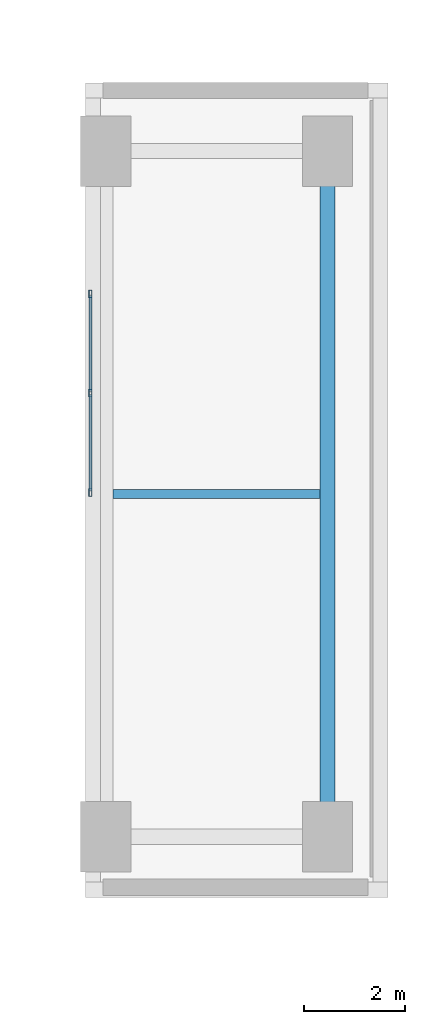
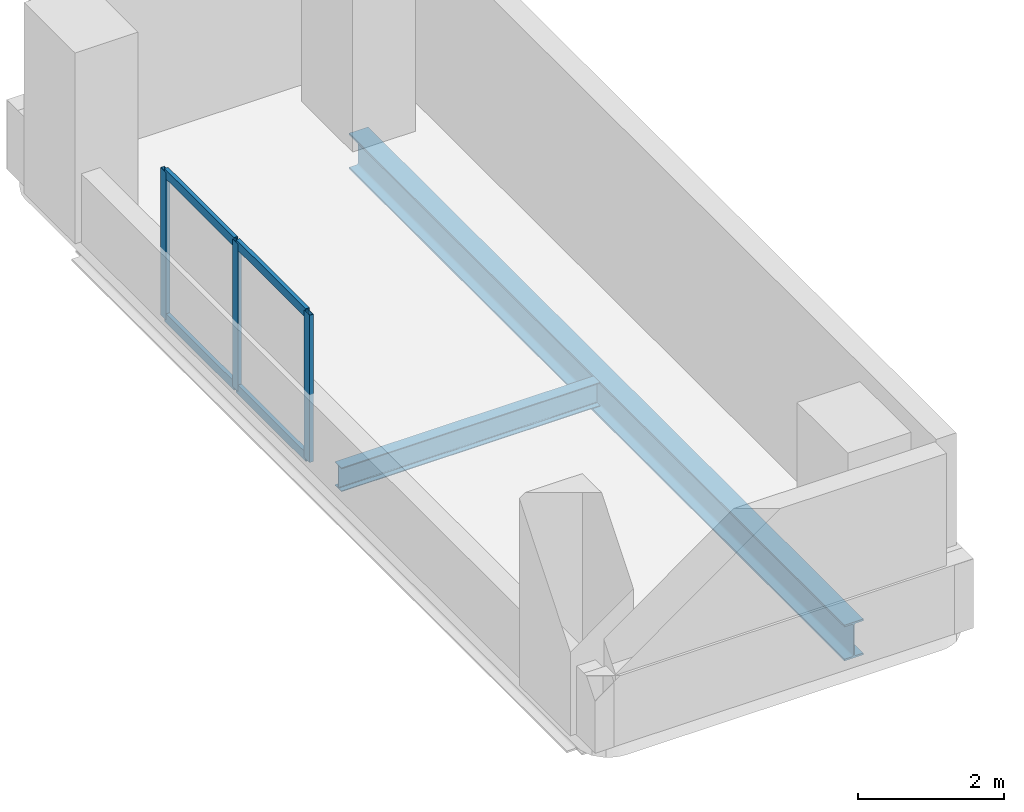
# One storey, part 4 of 14: 7 members, 2 beams, 1 element without a shape of its own.
"""IFC4 building model written with IfcOpenShell, lengths in metres."""

import ifcopenshell
import ifcopenshell.guid

model = None  # the IFC model being written
_history = None  # IfcOwnerHistory: only IFC2X3 demands one
_inside = {}  # id of a spatial element -> (the spatial element, [elements in it])
_under = {}  # id of a project, library or spatial element -> (it, [spatial elements below it])
_declared = {}  # id of a project -> (the project, [libraries it declares])
_typed = {}  # id of a type object -> (the type object, [elements of that type])
_made_of = {}  # id of a material, layer set ... -> (it, [elements and type objects made of it])


def new_model(schema):
    """Start an empty IFC model of exactly this schema.

    Asked for "IFC4X3", IfcOpenShell would pick the latest addendum, in which some entities
    have other attributes; the version numbers below select the first issue.
    IFC2X3 requires an IfcOwnerHistory on every rooted entity: one is made here for all.
    """
    global model, _history
    if schema == "IFC4X3":
        model = ifcopenshell.file(schema_version=(4, 3, 0, 0))
    else:
        model = ifcopenshell.file(schema=schema)
    _inside.clear()
    _under.clear()
    _declared.clear()
    _typed.clear()
    _made_of.clear()
    _history = None
    if model.schema == "IFC2X3":
        org = make("IfcOrganization", Name="unknown")
        user = make(
            "IfcPersonAndOrganization",
            ThePerson=make("IfcPerson", FamilyName="unknown"),
            TheOrganization=org,
        )
        app = make(
            "IfcApplication",
            ApplicationDeveloper=org,
            Version="unknown",
            ApplicationFullName="unknown",
            ApplicationIdentifier="unknown",
        )
        _history = make(
            "IfcOwnerHistory",
            OwningUser=user,
            OwningApplication=app,
            ChangeAction="ADDED",
            CreationDate=0,
        )
    return model


def make(cls, **values):
    """One entity of the class cls with the attributes given. An attribute that is None is left unset."""
    return model.create_entity(
        cls, **{name: value for name, value in values.items() if value is not None}
    )


def rooted(cls, **values):
    """An entity with a GlobalId (a new one), such as an element, a storey or a relation."""
    return make(cls, GlobalId=ifcopenshell.guid.new(), OwnerHistory=_history, **values)


def si_unit(unit_type, name, prefix=None):
    """IfcSIUnit, for example si_unit("LENGTHUNIT", "METRE", prefix="MILLI")."""
    return make("IfcSIUnit", UnitType=unit_type, Prefix=prefix, Name=name)


def assignment(units):
    """IfcUnitAssignment: the units of a project."""
    return None if units is None else make("IfcUnitAssignment", Units=units)


def point(xyz):
    """IfcCartesianPoint."""
    return None if xyz is None else make("IfcCartesianPoint", Coordinates=xyz)


def direction(xyz):
    """IfcDirection."""
    return None if xyz is None else make("IfcDirection", DirectionRatios=xyz)


def frame(location, z_axis=None, x_axis=None):
    """IfcAxis2Placement3D, a coordinate frame: its origin and axes. An axis left out is left unset."""
    return make(
        "IfcAxis2Placement3D",
        Location=point(location),
        Axis=direction(z_axis),
        RefDirection=direction(x_axis),
    )


def frame_2d(location, x_axis=None):
    """IfcAxis2Placement2D, a coordinate frame in the plane: its origin and x axis."""
    return make(
        "IfcAxis2Placement2D", Location=point(location), RefDirection=direction(x_axis)
    )


def origin():
    """The frame at (0, 0, 0) with its axes left unset."""
    return frame((0.0, 0.0, 0.0))


def origin_2d():
    """The frame at (0, 0) in the plane with its x axis left unset."""
    return frame_2d((0.0, 0.0))


def place(relative_to, where):
    """IfcLocalPlacement: puts the frame where relative to a parent placement (None: the world)."""
    return make(
        "IfcLocalPlacement", PlacementRelTo=relative_to, RelativePlacement=where
    )


def context(
    kind, dimensions, precision=None, world=None, true_north=None, identifier=None
):
    """IfcGeometricRepresentationContext, for example the 3D "Model" context."""
    return make(
        "IfcGeometricRepresentationContext",
        ContextIdentifier=identifier,
        ContextType=kind,
        CoordinateSpaceDimension=dimensions,
        Precision=precision,
        WorldCoordinateSystem=world,
        TrueNorth=true_north,
    )


def subcontext(parent, identifier, kind, view, scale=None):
    """IfcGeometricRepresentationSubContext, for example "Body" below "Model"."""
    return make(
        "IfcGeometricRepresentationSubContext",
        ContextIdentifier=identifier,
        ContextType=kind,
        ParentContext=parent,
        TargetScale=scale,
        TargetView=view,
    )


def project(units=None, contexts=None):
    """IfcProject with its units and contexts."""
    return rooted(
        "IfcProject",
        Name="project",
        RepresentationContexts=contexts,
        UnitsInContext=assignment(units),
    )


def spatial(cls, under=None, at=None, **own):
    """A site, building, storey or space (cls), placed at a placement, below another one or the project."""
    s = rooted(cls, ObjectPlacement=at, **own)
    if under is not None:
        _under.setdefault(under.id(), (under, []))[1].append(s)
    return s


def profile(cls, at=None, kind="AREA", **sizes):
    """A parametric profile (cls). Its sizes go by their IFC names, for example OverallWidth=200.0."""
    return make(cls, ProfileType=kind, Position=at, **sizes)


def hollow_rectangle(**sizes):
    """IfcRectangleHollowProfileDef."""
    return profile("IfcRectangleHollowProfileDef", **sizes)


def i_section(**sizes):
    """IfcIShapeProfileDef."""
    return profile("IfcIShapeProfileDef", **sizes)


def extrude(swept, where, along, depth):
    """IfcExtrudedAreaSolid: the profile swept, set in the frame where, extruded along a direction by depth."""
    return make(
        "IfcExtrudedAreaSolid",
        SweptArea=swept,
        Position=where,
        ExtrudedDirection=direction(along),
        Depth=depth,
    )


def shape(context_of_items, identifier, shape_type, items):
    """IfcShapeRepresentation: the items that make up one representation, for example the "Body"."""
    return make(
        "IfcShapeRepresentation",
        ContextOfItems=context_of_items,
        RepresentationIdentifier=identifier,
        RepresentationType=shape_type,
        Items=items,
    )


def material(Name=None, Category=None):
    """IfcMaterial."""
    return make("IfcMaterial", Name=Name, Category=Category)


def material_profile(
    of_material, cross_section, Name=None, Category=None, Priority=None
):
    """IfcMaterialProfile: a cross section and its material."""
    return make(
        "IfcMaterialProfile",
        Name=Name,
        Material=of_material,
        Profile=cross_section,
        Priority=Priority,
        Category=Category,
    )


def profile_set(profiles, Name=None, composite=None):
    """IfcMaterialProfileSet."""
    return make(
        "IfcMaterialProfileSet",
        Name=Name,
        MaterialProfiles=profiles,
        CompositeProfile=composite,
    )


def made_of(thing, what):
    """Note that an element or type object is made of a material, layer set ...; save() writes the relation."""
    if what is not None:
        _made_of.setdefault(what.id(), (what, []))[1].append(thing)
    return thing


def type_object(cls, material=None, **own):
    """A type object (cls), such as IfcWallType, which elements share."""
    return made_of(rooted(cls, **own), material)


def element(
    cls,
    number,
    at=None,
    inside=None,
    cuts=None,
    type_object=None,
    material=None,
    context=None,
    identifier="Body",
    shape_type=None,
    held_by="IfcProductDefinitionShape",
    body=None,
    shapes=None,
    **own,
):
    """One element of the class cls, such as IfcWall. Its Tag is "e" and its number.

    at: its placement. inside: the storey or other place that contains it. cuts: it is an
    opening in that element (IfcRelVoidsElement). A single representation is given by context,
    identifier, shape_type and body (its items); several are given by shapes. held_by: the class
    of the entity that holds the representations. save() writes the other relations.
    """
    e = rooted(cls, Tag="e%d" % number, ObjectPlacement=at, **own)
    if body is not None:
        shapes = [shape(context, identifier, shape_type, body)]
    if shapes is not None:
        e.Representation = make(held_by, Representations=shapes)
    if inside is not None:
        _inside.setdefault(inside.id(), (inside, []))[1].append(e)
    if cuts is not None:
        rooted(
            "IfcRelVoidsElement", RelatingBuildingElement=cuts, RelatedOpeningElement=e
        )
    if type_object is not None:
        _typed.setdefault(type_object.id(), (type_object, []))[1].append(e)
    return made_of(e, material)


def aggregate(whole, parts):
    """IfcRelAggregates: a whole, such as a stair, and the parts it consists of."""
    return rooted("IfcRelAggregates", RelatingObject=whole, RelatedObjects=parts)


def save(model, path):
    """Write the relations noted so far, then the file.

    IfcRelAggregates (storeys below a building ...), IfcRelContainedInSpatialStructure (elements
    in a storey), IfcRelDefinesByType, IfcRelAssociatesMaterial and IfcRelDeclares: one each for
    every whole, place, type object, material and project.
    """
    for whole, parts in _under.values():
        aggregate(whole, parts)
    for where, things in _inside.values():
        rooted(
            "IfcRelContainedInSpatialStructure",
            RelatedElements=things,
            RelatingStructure=where,
        )
    for kind, things in _typed.values():
        rooted("IfcRelDefinesByType", RelatedObjects=things, RelatingType=kind)
    for what, things in _made_of.values():
        rooted("IfcRelAssociatesMaterial", RelatedObjects=things, RelatingMaterial=what)
    for by, libraries in _declared.values():
        rooted("IfcRelDeclares", RelatingContext=by, RelatedDefinitions=libraries)
    model.write(path)


model = new_model("IFC4")

# Units and contexts
model_context = context("Model", 3, precision=1e-05, world=origin(), true_north=direction((0.0, 1.0)))
body_context = subcontext(model_context, "Body", "Model", "MODEL_VIEW")
ifc_project = project(units=[si_unit("LENGTHUNIT", "METRE"), si_unit("AREAUNIT", "SQUARE_METRE"), si_unit("VOLUMEUNIT", "CUBIC_METRE"), si_unit("PLANEANGLEUNIT", "RADIAN"), si_unit("MASSUNIT", "GRAM", prefix="KILO")], contexts=[model_context])

# Site, building, storey
site_placement = place(None, origin())
site = spatial("IfcSite", under=ifc_project, at=site_placement, CompositionType="ELEMENT")
building_placement = place(site_placement, origin())
building = spatial("IfcBuilding", under=site, at=building_placement, Name="Kuzgunbayir Cultural Tower", CompositionType="ELEMENT")
storey_placement = place(building_placement, frame((0.0, 0.0, 33.39990234375)))
storey = spatial("IfcBuildingStorey", under=building, at=storey_placement, Name="L08", CompositionType="ELEMENT", Elevation=33.39990234375)

# Beams
ifc_material_1 = material(Name="Steel S355J2", Category="steel")
ifc_material_profile_1 = material_profile(ifc_material_1, i_section(OverallWidth=0.300048828125, OverallDepth=0.60009765625, WebThickness=0.015380859375, FlangeThickness=0.030029296875, FilletRadius=0.027099609375, at=origin_2d()), Name="HEB 600")
ifc_profile_set_1 = profile_set([ifc_material_profile_1], Name="Steel S355J2")
beam_type_1 = type_object("IfcBeamType", Name="BM-EXT-HEB600", PredefinedType="BEAM", material=ifc_profile_set_1)
beam_1_placement = place(storey_placement, frame((45.60009765625, 27.60009765625, -0.52978515625), z_axis=(0.0, 1.0, 0.0), x_axis=(-1.0, 0.0, 0.0)))
element("IfcBeam", 1, at=beam_1_placement, inside=storey, type_object=beam_type_1, Name="L08 Portal Pier East Girder", PredefinedType="BEAM", context=body_context, shape_type="SweptSolid", body=[
    extrude(i_section(OverallWidth=0.300048828125, OverallDepth=0.60009765625, WebThickness=0.015380859375, FlangeThickness=0.030029296875, FilletRadius=0.027099609375, at=origin_2d()), origin(), (0.0, 0.0, 1.0), 13.599853515625),
])
ifc_material_profile_2 = material_profile(ifc_material_1, i_section(OverallWidth=0.179931640625, OverallDepth=0.39990234375, WebThickness=0.008544921875, FlangeThickness=0.013427734375, FilletRadius=0.02099609375, at=origin_2d()), Name="IPE 400")
ifc_profile_set_2 = profile_set([ifc_material_profile_2], Name="Steel S355J2")
beam_type_2 = type_object("IfcBeamType", Name="BM-JST-IPE400", PredefinedType="JOIST", material=ifc_profile_set_2)
beam_2_placement = place(storey_placement, frame((41.35009765625, 34.39990234375, -0.429931640625), z_axis=(1.0, 0.0, 0.0), x_axis=(0.0, 1.0, 0.0)))
element("IfcBeam", 2, at=beam_2_placement, inside=storey, type_object=beam_type_2, Name="L08 Portal Pier Joist", PredefinedType="JOIST", context=body_context, shape_type="SweptSolid", body=[
    extrude(i_section(OverallWidth=0.179931640625, OverallDepth=0.39990234375, WebThickness=0.008544921875, FlangeThickness=0.013427734375, FilletRadius=0.02099609375, at=origin_2d()), origin(), (0.0, 0.0, 1.0), 4.099853515625),
])

# Curtain wall, members
ifc_material_2 = material(Name="Anodised Aluminium Framing", Category="aluminium")
curtain_wall_type = type_object("IfcCurtainWallType", Name="CW02-PORTAL-SOFFIT", PredefinedType="NOTDEFINED", material=ifc_material_2)
curtain_wall_placement = place(storey_placement, origin())
curtain_wall = element("IfcCurtainWall", 3, at=curtain_wall_placement, inside=storey, type_object=curtain_wall_type, Name="L08 Void-Portal East Jamb Curtain Wall", PredefinedType="NOTDEFINED")
ifc_material_profile_3 = material_profile(ifc_material_2, hollow_rectangle(XDim=0.06005859375, YDim=0.14990234375, WallThickness=0.00390625, at=origin_2d()), Name="RHS 150x60x4")
ifc_profile_set_3 = profile_set([ifc_material_profile_3], Name="Anodised Aluminium Framing")
member_type_1 = type_object("IfcMemberType", Name="MEM-CW-MULLION-150", PredefinedType="MULLION", material=ifc_profile_set_3)
member_1_placement = place(storey_placement, frame((40.89990234375, 34.429931640625, 0.0), z_axis=(0.0, 0.0, 1.0), x_axis=(-1.0, 0.0, 0.0)))
member_1 = element("IfcMember", 4, at=member_1_placement, type_object=member_type_1, Name="CW02 mullion 1", PredefinedType="MULLION", context=body_context, shape_type="SweptSolid", body=[
    extrude(hollow_rectangle(XDim=0.06005859375, YDim=0.14990234375, WallThickness=0.00390625, at=origin_2d()), origin(), (0.0, 0.0, 1.0), 2.47021484375),
])
member_2_placement = place(storey_placement, frame((40.89990234375, 36.39990234375, 0.0), z_axis=(0.0, 0.0, 1.0), x_axis=(-1.0, 0.0, 0.0)))
member_2 = element("IfcMember", 5, at=member_2_placement, type_object=member_type_1, Name="CW02 mullion 2", PredefinedType="MULLION", context=body_context, shape_type="SweptSolid", body=[
    extrude(hollow_rectangle(XDim=0.06005859375, YDim=0.14990234375, WallThickness=0.00390625, at=origin_2d()), origin(), (0.0, 0.0, 1.0), 2.47021484375),
])
member_3_placement = place(storey_placement, frame((40.89990234375, 38.3701171875, 0.0), z_axis=(0.0, 0.0, 1.0), x_axis=(-1.0, 0.0, 0.0)))
member_3 = element("IfcMember", 6, at=member_3_placement, type_object=member_type_1, Name="CW02 mullion 3", PredefinedType="MULLION", context=body_context, shape_type="SweptSolid", body=[
    extrude(hollow_rectangle(XDim=0.06005859375, YDim=0.14990234375, WallThickness=0.00390625, at=origin_2d()), origin(), (0.0, 0.0, 1.0), 2.47021484375),
])
ifc_material_profile_4 = material_profile(ifc_material_2, hollow_rectangle(XDim=0.06005859375, YDim=0.14990234375, WallThickness=0.00390625, at=origin_2d()), Name="RHS 150x60x4")
ifc_profile_set_4 = profile_set([ifc_material_profile_4], Name="Anodised Aluminium Framing")
member_type_2 = type_object("IfcMemberType", Name="MEM-CW-TRANSOM-150", PredefinedType="USERDEFINED", material=ifc_profile_set_4)
member_4_placement = place(storey_placement, frame((40.89990234375, 34.4599609375, 0.030029296875), z_axis=(0.0, 1.0, 0.0), x_axis=(-1.0, 0.0, 0.0)))
member_4 = element("IfcMember", 7, at=member_4_placement, type_object=member_type_2, Name="CW02 transom 1.1", ObjectType="TRANSOM", PredefinedType="USERDEFINED", context=body_context, shape_type="SweptSolid", body=[
    extrude(hollow_rectangle(XDim=0.06005859375, YDim=0.14990234375, WallThickness=0.00390625, at=origin_2d()), origin(), (0.0, 0.0, 1.0), 1.91015625),
])
member_5_placement = place(storey_placement, frame((40.89990234375, 34.4599609375, 2.440185546875), z_axis=(0.0, 1.0, 0.0), x_axis=(-1.0, 0.0, 0.0)))
member_5 = element("IfcMember", 8, at=member_5_placement, type_object=member_type_2, Name="CW02 transom 1.2", ObjectType="TRANSOM", PredefinedType="USERDEFINED", context=body_context, shape_type="SweptSolid", body=[
    extrude(hollow_rectangle(XDim=0.06005859375, YDim=0.14990234375, WallThickness=0.00390625, at=origin_2d()), origin(), (0.0, 0.0, 1.0), 1.91015625),
])
member_6_placement = place(storey_placement, frame((40.89990234375, 36.429931640625, 0.030029296875), z_axis=(0.0, 1.0, 0.0), x_axis=(-1.0, 0.0, 0.0)))
member_6 = element("IfcMember", 9, at=member_6_placement, type_object=member_type_2, Name="CW02 transom 2.1", ObjectType="TRANSOM", PredefinedType="USERDEFINED", context=body_context, shape_type="SweptSolid", body=[
    extrude(hollow_rectangle(XDim=0.06005859375, YDim=0.14990234375, WallThickness=0.00390625, at=origin_2d()), origin(), (0.0, 0.0, 1.0), 1.91015625),
])
member_7_placement = place(storey_placement, frame((40.89990234375, 36.429931640625, 2.440185546875), z_axis=(0.0, 1.0, 0.0), x_axis=(-1.0, 0.0, 0.0)))
member_7 = element("IfcMember", 10, at=member_7_placement, type_object=member_type_2, Name="CW02 transom 2.2", ObjectType="TRANSOM", PredefinedType="USERDEFINED", context=body_context, shape_type="SweptSolid", body=[
    extrude(hollow_rectangle(XDim=0.06005859375, YDim=0.14990234375, WallThickness=0.00390625, at=origin_2d()), origin(), (0.0, 0.0, 1.0), 1.91015625),
])
aggregate(curtain_wall, [member_1, member_2, member_3, member_4, member_5, member_6, member_7])

save(model, "model.ifc")
